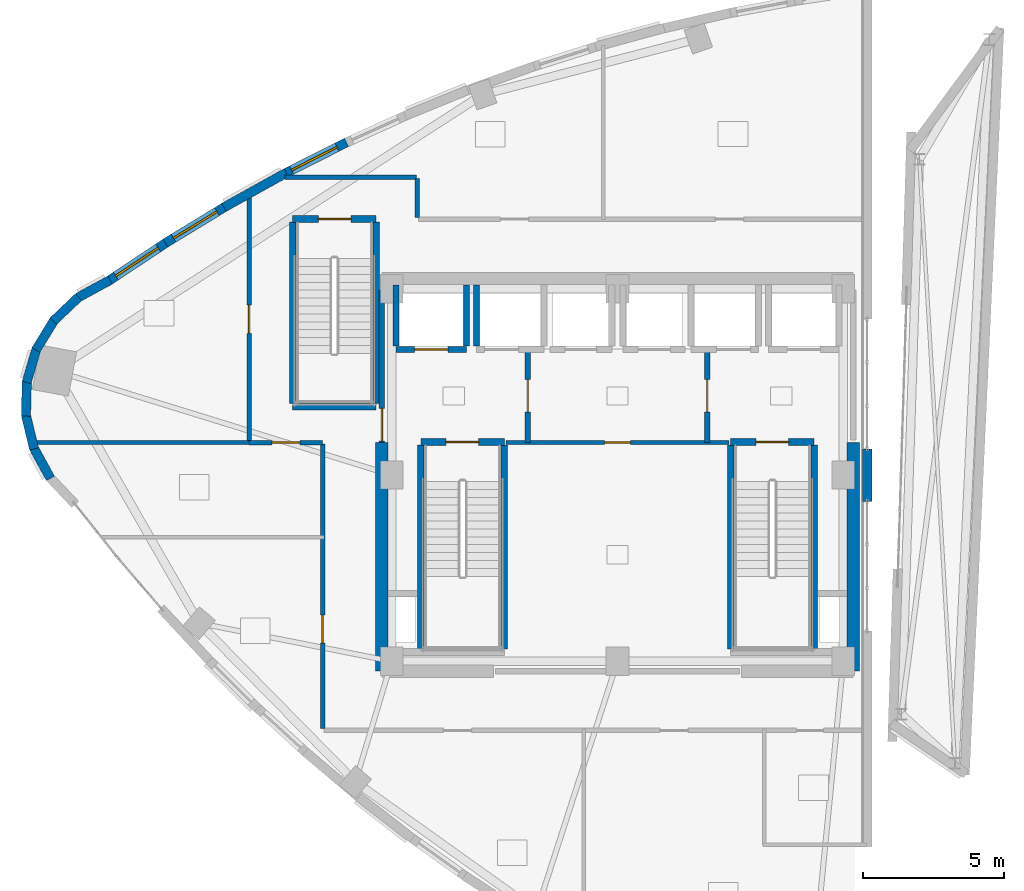
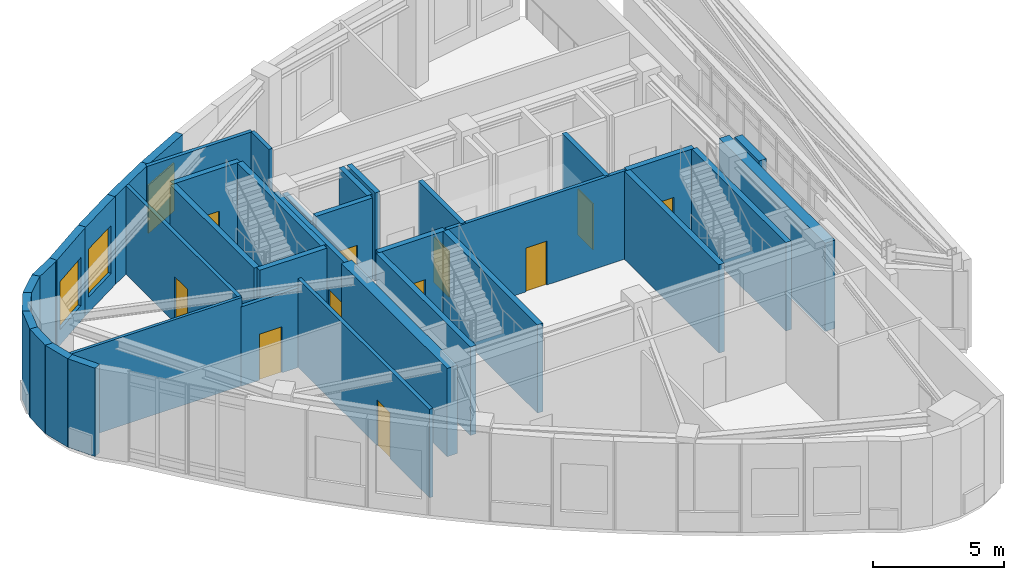
# One storey, part 14 of 19: 38 walls, 11 doors, 3 windows, 14 openings.
"""IFC4 building model written with IfcOpenShell, lengths in metres."""

from ifc_helpers import new_model, si_unit, direction, frame, frame_2d, origin, place, context, subcontext, project, spatial, rectangle, extrude, material, layer, layer_set, type_object, element, fill, save


model = new_model("IFC4")

# Units and contexts
model_context = context("Model", 3, precision=1e-05, world=origin(), true_north=direction((0.0, 1.0)))
body_context = subcontext(model_context, "Body", "Model", "MODEL_VIEW")
ifc_project = project(units=[si_unit("LENGTHUNIT", "METRE"), si_unit("AREAUNIT", "SQUARE_METRE"), si_unit("VOLUMEUNIT", "CUBIC_METRE"), si_unit("PLANEANGLEUNIT", "RADIAN"), si_unit("MASSUNIT", "GRAM", prefix="KILO")], contexts=[model_context])

# Site, building, storey
site_placement = place(None, origin())
site = spatial("IfcSite", under=ifc_project, at=site_placement, CompositionType="ELEMENT")
building_placement = place(site_placement, origin())
building = spatial("IfcBuilding", under=site, at=building_placement, Name="Ndelora Gate Hotel", CompositionType="ELEMENT")
storey_placement = place(building_placement, frame((0.0, 0.0, 290.39990234375)))
storey = spatial("IfcBuildingStorey", under=building, at=storey_placement, Name="L72", CompositionType="ELEMENT", Elevation=290.39990234375)

# Walls
ifc_material_1 = material(Name="Clay Brick Masonry", Category="masonry")
ifc_layer_1 = layer(ifc_material_1, 0.330078125)
ifc_layer_set_1 = layer_set([ifc_layer_1], Name="Clay Brick Masonry")
wall_type_1 = type_object("IfcWallType", Name="WL-BRICK-330", PredefinedType="SOLIDWALL", material=ifc_layer_set_1)
wall_1_placement = place(storey_placement, frame((8.85009765625, 0.929931640625, 0.0), z_axis=(0.0, 0.0, 1.0), x_axis=(0.0, -1.0, 0.0)))
element("IfcWall", 1, at=wall_1_placement, inside=storey, type_object=wall_type_1, Name="L72 West Crown Canyon Brick Pier 2", PredefinedType="SOLIDWALL", context=body_context, shape_type="SweptSolid", body=[
    extrude(rectangle(XDim=1.85986328125, YDim=0.330078125, at=frame_2d((0.929931640625, 0.0))), origin(), (0.0, 0.0, 1.0), 4.130126953125),
])
wall_2_placement = place(storey_placement, frame((-19.128173828125, 6.2841796875, 0.0), z_axis=(0.0, 0.0, 1.0), x_axis=(0.878173375728, 0.478342473719, 0.0)))
element("IfcWall", 2, at=wall_2_placement, inside=storey, type_object=wall_type_1, Name="L72 Tower Brick Pier-and-Spandrel Wall WPK-1", PredefinedType="SOLIDWALL", context=body_context, shape_type="SweptSolid", body=[
    extrude(rectangle(XDim=1.30908203125, YDim=0.330078125, at=frame_2d((0.654541015625, 0.0))), origin(), (0.0, 0.0, 1.0), 4.130126953125),
])
for number, where, z_axis, x_axis, name in (
    (3, (-19.989013671875, 5.454345703125, 0.0), (0.0, 0.0, 1.0), (0.72422318741, 0.689565642138, 0.0), "L72 Tower Brick Pier-and-Spandrel Wall WPK-3"),
    (4, (-20.606201171875, 4.429931640625, 0.0), (0.0, 0.0, 1.0), (0.521216361952, 0.853424574308, 0.0), "L72 Tower Brick Pier-and-Spandrel Wall WPK-5"),
    (5, (-20.93701171875, 3.28076171875, 0.0), (0.0, 0.0, 1.0), (0.282392736693, 0.95929888057, 0.0), "L72 Tower Brick Pier-and-Spandrel Wall WPK-7"),
    (6, (-20.95947265625, 2.085205078125, 0.0), (0.0, 0.0, 1.0), (0.024698579996, 0.999694943543, 0.0), "L72 Tower Brick Pier-and-Spandrel Wall WPK-9"),
    (7, (-20.67138671875, 0.92431640625, 0.0), (0.0, 0.0, 1.0), (-0.234796268819, 0.972044603991, 0.0), "L72 Tower Brick Pier-and-Spandrel Wall WPK-11"),
):
    element("IfcWall", number, at=place(storey_placement, frame(where, z_axis=z_axis, x_axis=x_axis)), inside=storey, type_object=wall_type_1, Name=name, PredefinedType="SOLIDWALL", context=body_context, shape_type="SweptSolid", body=[
        extrude(rectangle(XDim=1.225830078125, YDim=0.330078125, at=frame_2d((0.61279296875, 0.0))), origin(), (0.0, 0.0, 1.0), 4.130126953125),
    ])
wall_3_placement = place(storey_placement, frame((-20.0927734375, -0.122314453125, 0.0), z_axis=(0.0, 0.0, 1.0), x_axis=(-0.478321862725, 0.878184602256, 0.0)))
element("IfcWall", 8, at=wall_3_placement, inside=storey, type_object=wall_type_1, Name="L72 Tower Brick Pier-and-Spandrel Wall WPK-13", PredefinedType="SOLIDWALL", context=body_context, shape_type="SweptSolid", body=[
    extrude(rectangle(XDim=1.22607421875, YDim=0.330078125, at=frame_2d((0.613037109375, 0.0))), origin(), (0.0, 0.0, 1.0), 4.130126953125),
])

# Wall, opening, window
wall_4_placement = place(storey_placement, frame((-11.836181640625, 10.6591796875, 0.0), z_axis=(0.0, 0.0, 1.0), x_axis=(0.892552621867, 0.450943252747, 0.0)))
wall_4 = element("IfcWall", 9, at=wall_4_placement, inside=storey, type_object=wall_type_1, Name="L72 Tower Brick Pier-and-Spandrel Wall WPK-60", PredefinedType="SOLIDWALL", context=body_context, shape_type="SweptSolid", body=[
    extrude(rectangle(XDim=2.510986328125, YDim=0.330078125, at=frame_2d((1.25537109375, 0.0))), origin(), (0.0, 0.0, 1.0), 4.130126953125),
])
opening_1_placement = place(wall_4_placement, frame((0.325439453125, 0.0, 0.719970703125)))
opening_1 = element("IfcOpeningElement", 10, at=opening_1_placement, cuts=wall_4, Name="Opening W06", PredefinedType="OPENING", context=body_context, shape_type="SweptSolid", body=[
    extrude(rectangle(XDim=1.800048828125, YDim=2.25, at=frame_2d((0.89990234375, 1.125))), frame((0.0, 0.175048828125, 0.0), z_axis=(0.0, -1.0, 0.0), x_axis=(1.0, 0.0, 0.0)), (0.0, 0.0, 1.0), 0.35009765625),
])
ifc_material_2 = material(Name="Insulated Low-E Double Glazing in Bronze Aluminium Frame", Category="aluminium")
window_type = type_object("IfcWindowType", Name="WN-OBS-1800", PartitioningType="SINGLE_PANEL", PredefinedType="WINDOW", material=ifc_material_2)
window_1_placement = place(opening_1_placement, origin())
window_1 = element("IfcWindow", 11, at=window_1_placement, inside=storey, type_object=window_type, Name="L72 Deep-Set Brick-Pier Window W06", OverallHeight=2.25, OverallWidth=1.800048828125, PartitioningType="SINGLE_PANEL", PredefinedType="WINDOW", context=body_context, shape_type="SweptSolid", body=[
    extrude(rectangle(XDim=1.800048828125, YDim=2.25, at=frame_2d((0.89990234375, 1.125))), frame((0.0, 0.030029296875, 0.0), z_axis=(0.0, -1.0, 0.0), x_axis=(1.0, 0.0, 0.0)), (0.0, 0.0, 1.0), 0.06005859375),
])
fill(opening_1, window_1)

# Wall
wall_5_placement = place(storey_placement, frame((-13.94384765625, 9.484619140625, 0.0), z_axis=(0.0, 0.0, 1.0), x_axis=(0.873960918974, 0.485996205856, 0.0)))
element("IfcWall", 12, at=wall_5_placement, inside=storey, type_object=wall_type_1, Name="L72 Tower Brick Pier-and-Spandrel Wall WPK-61", PredefinedType="SOLIDWALL", context=body_context, shape_type="SweptSolid", body=[
    extrude(rectangle(XDim=2.522705078125, YDim=0.330078125, at=frame_2d((1.26123046875, 0.0))), origin(), (0.0, 0.0, 1.0), 4.130126953125),
])

# Wall, opening, window
wall_6_placement = place(storey_placement, frame((-16.0166015625, 8.21923828125, 0.0), z_axis=(0.0, 0.0, 1.0), x_axis=(0.854010909552, 0.520255097395, 0.0)))
wall_6 = element("IfcWall", 13, at=wall_6_placement, inside=storey, type_object=wall_type_1, Name="L72 Tower Brick Pier-and-Spandrel Wall WPK-62", PredefinedType="SOLIDWALL", context=body_context, shape_type="SweptSolid", body=[
    extrude(rectangle(XDim=2.538330078125, YDim=0.330078125, at=frame_2d((1.26904296875, 0.0))), origin(), (0.0, 0.0, 1.0), 4.130126953125),
])
opening_2_placement = place(wall_6_placement, frame((0.339111328125, 0.0, 0.719970703125)))
opening_2 = element("IfcOpeningElement", 14, at=opening_2_placement, cuts=wall_6, Name="Opening W06", PredefinedType="OPENING", context=body_context, shape_type="SweptSolid", body=[
    extrude(rectangle(XDim=1.800048828125, YDim=2.25, at=frame_2d((0.89990234375, 1.125))), frame((0.0, 0.175048828125, 0.0), z_axis=(0.0, -1.0, 0.0), x_axis=(1.0, 0.0, 0.0)), (0.0, 0.0, 1.0), 0.35009765625),
])
window_2_placement = place(opening_2_placement, origin())
window_2 = element("IfcWindow", 15, at=window_2_placement, inside=storey, type_object=window_type, Name="L72 Deep-Set Brick-Pier Window W06", OverallHeight=2.25, OverallWidth=1.800048828125, PartitioningType="SINGLE_PANEL", PredefinedType="WINDOW", context=body_context, shape_type="SweptSolid", body=[
    extrude(rectangle(XDim=1.800048828125, YDim=2.25, at=frame_2d((0.89990234375, 1.125))), frame((0.0, 0.030029296875, 0.0), z_axis=(0.0, -1.0, 0.0), x_axis=(1.0, 0.0, 0.0)), (0.0, 0.0, 1.0), 0.06005859375),
])
fill(opening_2, window_2)

wall_7_placement = place(storey_placement, frame((-18.072509765625, 6.853759765625, 0.0), z_axis=(0.0, 0.0, 1.0), x_axis=(0.833460819708, 0.552578557322, 0.0)))
wall_7 = element("IfcWall", 16, at=wall_7_placement, inside=storey, type_object=wall_type_1, Name="L72 Tower Brick Pier-and-Spandrel Wall WPK-63", PredefinedType="SOLIDWALL", context=body_context, shape_type="SweptSolid", body=[
    extrude(rectangle(XDim=2.578125, YDim=0.330078125, at=frame_2d((1.2890625, 0.0))), origin(), (0.0, 0.0, 1.0), 4.130126953125),
])
opening_3_placement = place(wall_7_placement, frame((0.35888671875, 0.0, 0.719970703125)))
opening_3 = element("IfcOpeningElement", 17, at=opening_3_placement, cuts=wall_7, Name="Opening W06", PredefinedType="OPENING", context=body_context, shape_type="SweptSolid", body=[
    extrude(rectangle(XDim=1.800048828125, YDim=2.25, at=frame_2d((0.89990234375, 1.125))), frame((0.0, 0.175048828125, 0.0), z_axis=(0.0, -1.0, 0.0), x_axis=(1.0, 0.0, 0.0)), (0.0, 0.0, 1.0), 0.35009765625),
])
window_3_placement = place(opening_3_placement, origin())
window_3 = element("IfcWindow", 18, at=window_3_placement, inside=storey, type_object=window_type, Name="L72 Deep-Set Brick-Pier Window W06", OverallHeight=2.25, OverallWidth=1.800048828125, PartitioningType="SINGLE_PANEL", PredefinedType="WINDOW", context=body_context, shape_type="SweptSolid", body=[
    extrude(rectangle(XDim=1.800048828125, YDim=2.25, at=frame_2d((0.89990234375, 1.125))), frame((0.0, 0.030029296875, 0.0), z_axis=(0.0, -1.0, 0.0), x_axis=(1.0, 0.0, 0.0)), (0.0, 0.0, 1.0), 0.06005859375),
])
fill(opening_3, window_3)

# Walls
ifc_material_3 = material(Name="Concrete C50/60", Category="concrete")
ifc_layer_2 = layer(ifc_material_3, 0.449951171875)
ifc_layer_set_2 = layer_set([ifc_layer_2], Name="Concrete C50/60")
wall_type_2 = type_object("IfcWallType", Name="WL-CORE-450", PredefinedType="SHEAR", material=ifc_layer_set_2)
for number, where, z_axis, x_axis, name in (
    (19, (-8.35009765625, -6.949951171875, 0.0), (0.0, 0.0, 1.0), (0.0, 1.0, 0.0), "L72 Core Shear Wall W"),
    (20, (8.35009765625, -6.949951171875, 0.0), (0.0, 0.0, 1.0), (0.0, 1.0, 0.0), "L72 Core Shear Wall E"),
):
    element("IfcWall", number, at=place(storey_placement, frame(where, z_axis=z_axis, x_axis=x_axis)), inside=storey, type_object=wall_type_2, Name=name, PredefinedType="SHEAR", context=body_context, shape_type="SweptSolid", body=[
        extrude(rectangle(XDim=8.099853515625, YDim=0.449951171875, at=frame_2d((4.0498046875, 0.0))), origin(), (0.0, 0.0, 1.0), 4.130126953125),
    ])

# Wall, opening, door
ifc_material_4 = material(Name="Concrete C40/50", Category="concrete")
ifc_layer_3 = layer(ifc_material_4, 0.199951171875)
ifc_layer_set_3 = layer_set([ifc_layer_3], Name="Concrete C40/50")
wall_type_3 = type_object("IfcWallType", Name="WL-FIRE-200", PredefinedType="PARTITIONING", material=ifc_layer_set_3)
wall_8_placement = place(storey_placement, frame((-3.179931640625, 1.14990234375, 0.0), z_axis=(0.0, 0.0, 1.0), x_axis=(0.0, 1.0, 0.0)))
wall_8 = element("IfcWall", 21, at=wall_8_placement, inside=storey, type_object=wall_type_3, Name="L72 Interior Wall IW-2", PredefinedType="PARTITIONING", context=body_context, shape_type="SweptSolid", body=[
    extrude(rectangle(XDim=3.300048828125, YDim=0.199951171875, at=frame_2d((1.64990234375, 0.0))), origin(), (0.0, 0.0, 1.0), 4.130126953125),
])
opening_4_placement = place(wall_8_placement, frame((1.080078125, 0.0, 0.0)))
opening_4 = element("IfcOpeningElement", 22, at=opening_4_placement, cuts=wall_8, Name="Opening FD1", PredefinedType="OPENING", context=body_context, shape_type="SweptSolid", body=[
    extrude(rectangle(XDim=1.14990234375, YDim=2.14990234375, at=frame_2d((0.574951171875, 1.074951171875))), frame((0.0, 0.10986328125, 0.0), z_axis=(0.0, -1.0, 0.0), x_axis=(1.0, 0.0, 0.0)), (0.0, 0.0, 1.0), 0.219970703125),
])
ifc_material_5 = material(Name="Fire-Rated Timber-Veneer Steel Core", Category="steel")
door_type_1 = type_object("IfcDoorType", Name="DR-FD60", OperationType="SINGLE_SWING_LEFT", PredefinedType="DOOR", material=ifc_material_5)
door_1_placement = place(opening_4_placement, origin())
door_1 = element("IfcDoor", 23, at=door_1_placement, inside=storey, type_object=door_type_1, Name="L72 Firefighting Lobby West Door", OperationType="SINGLE_SWING_RIGHT", OverallHeight=2.14990234375, OverallWidth=1.14990234375, PredefinedType="DOOR", context=body_context, shape_type="SweptSolid", body=[
    extrude(rectangle(XDim=1.14990234375, YDim=2.14990234375, at=frame_2d((0.574951171875, 1.074951171875))), frame((0.0, 0.02490234375, 0.0), z_axis=(0.0, -1.0, 0.0), x_axis=(1.0, 0.0, 0.0)), (0.0, 0.0, 1.0), 0.050048828125),
])
fill(opening_4, door_1)

wall_9_placement = place(storey_placement, frame((3.179931640625, 1.14990234375, 0.0), z_axis=(0.0, 0.0, 1.0), x_axis=(0.0, 1.0, 0.0)))
wall_9 = element("IfcWall", 24, at=wall_9_placement, inside=storey, type_object=wall_type_3, Name="L72 Interior Wall IW-2", PredefinedType="PARTITIONING", context=body_context, shape_type="SweptSolid", body=[
    extrude(rectangle(XDim=3.300048828125, YDim=0.199951171875, at=frame_2d((1.64990234375, 0.0))), origin(), (0.0, 0.0, 1.0), 4.130126953125),
])
opening_5_placement = place(wall_9_placement, frame((1.080078125, 0.0, 0.0)))
opening_5 = element("IfcOpeningElement", 25, at=opening_5_placement, cuts=wall_9, Name="Opening FD1", PredefinedType="OPENING", context=body_context, shape_type="SweptSolid", body=[
    extrude(rectangle(XDim=1.14990234375, YDim=2.14990234375, at=frame_2d((0.574951171875, 1.074951171875))), frame((0.0, 0.10986328125, 0.0), z_axis=(0.0, -1.0, 0.0), x_axis=(1.0, 0.0, 0.0)), (0.0, 0.0, 1.0), 0.219970703125),
])
door_2_placement = place(opening_5_placement, origin())
door_2 = element("IfcDoor", 26, at=door_2_placement, inside=storey, type_object=door_type_1, Name="L72 Firefighting Lobby East Door", OperationType="SINGLE_SWING_LEFT", OverallHeight=2.14990234375, OverallWidth=1.14990234375, PredefinedType="DOOR", context=body_context, shape_type="SweptSolid", body=[
    extrude(rectangle(XDim=1.14990234375, YDim=2.14990234375, at=frame_2d((0.574951171875, 1.074951171875))), frame((0.0, 0.02490234375, 0.0), z_axis=(0.0, -1.0, 0.0), x_axis=(1.0, 0.0, 0.0)), (0.0, 0.0, 1.0), 0.050048828125),
])
fill(opening_5, door_2)

wall_10_placement = place(storey_placement, frame((-8.35009765625, 1.14990234375, 0.0), z_axis=(0.0, 0.0, 1.0), x_axis=(0.0, 1.0, 0.0)))
wall_10 = element("IfcWall", 27, at=wall_10_placement, inside=storey, type_object=wall_type_3, Name="L72 Interior Wall IW-2", PredefinedType="PARTITIONING", context=body_context, shape_type="SweptSolid", body=[
    extrude(rectangle(XDim=5.400146484375, YDim=0.199951171875, at=frame_2d((2.7001953125, 0.0))), origin(), (0.0, 0.0, 1.0), 4.130126953125),
])
opening_6_placement = place(wall_10_placement, frame((0.06005859375, 0.0, 0.0)))
opening_6 = element("IfcOpeningElement", 28, at=opening_6_placement, cuts=wall_10, Name="Opening FD1", PredefinedType="OPENING", context=body_context, shape_type="SweptSolid", body=[
    extrude(rectangle(XDim=1.14990234375, YDim=2.14990234375, at=frame_2d((0.574951171875, 1.074951171875))), frame((0.0, 0.10986328125, 0.0), z_axis=(0.0, -1.0, 0.0), x_axis=(1.0, 0.0, 0.0)), (0.0, 0.0, 1.0), 0.219970703125),
])
door_3_placement = place(opening_6_placement, origin())
door_3 = element("IfcDoor", 29, at=door_3_placement, inside=storey, type_object=door_type_1, Name="L72 Firefighting Lobby West Corridor Door", OperationType="SINGLE_SWING_LEFT", OverallHeight=2.14990234375, OverallWidth=1.14990234375, PredefinedType="DOOR", context=body_context, shape_type="SweptSolid", body=[
    extrude(rectangle(XDim=1.14990234375, YDim=2.14990234375, at=frame_2d((0.574951171875, 1.074951171875))), frame((0.0, 0.02490234375, 0.0), z_axis=(0.0, -1.0, 0.0), x_axis=(1.0, 0.0, 0.0)), (0.0, 0.0, 1.0), 0.050048828125),
])
fill(opening_6, door_3)

ifc_material_6 = material(Name="Fire-Rated Gypsum Stud Partition", Category="gypsum")
ifc_layer_4 = layer(ifc_material_6, 0.14990234375)
ifc_layer_set_4 = layer_set([ifc_layer_4], Name="Fire-Rated Gypsum Stud Partition")
wall_type_4 = type_object("IfcWallType", Name="WL-PART-150", PredefinedType="PARTITIONING", material=ifc_layer_set_4)
wall_11_placement = place(storey_placement, frame((3.949951171875, 1.14990234375, 0.0), z_axis=(0.0, 0.0, 1.0), x_axis=(-1.0, 0.0, 0.0)))
wall_11 = element("IfcWall", 30, at=wall_11_placement, inside=storey, type_object=wall_type_4, Name="L72 Interior Wall IW-5", PredefinedType="PARTITIONING", context=body_context, shape_type="SweptSolid", body=[
    extrude(rectangle(XDim=7.89990234375, YDim=0.14990234375, at=frame_2d((3.949951171875, 0.0))), origin(), (0.0, 0.0, 1.0), 4.130126953125),
])
opening_7_placement = place(wall_11_placement, frame((3.489990234375, 0.0, 0.0)))
opening_7 = element("IfcOpeningElement", 31, at=opening_7_placement, cuts=wall_11, Name="Opening D04", PredefinedType="OPENING", context=body_context, shape_type="SweptSolid", body=[
    extrude(rectangle(XDim=0.919921875, YDim=2.050048828125, at=frame_2d((0.4599609375, 1.02490234375))), frame((0.0, 0.0849609375, 0.0), z_axis=(0.0, -1.0, 0.0), x_axis=(1.0, 0.0, 0.0)), (0.0, 0.0, 1.0), 0.169921875),
])
ifc_material_7 = material(Name="Painted Steel Core Service Door", Category="steel")
door_type_2 = type_object("IfcDoorType", Name="DR-SER-920", OperationType="SINGLE_SWING_LEFT", PredefinedType="DOOR", material=ifc_material_7)
door_4_placement = place(opening_7_placement, origin())
door_4 = element("IfcDoor", 32, at=door_4_placement, inside=storey, type_object=door_type_2, Name="L72 Core Electrical and Linen Service Store Door", OperationType="SINGLE_SWING_LEFT", OverallHeight=2.050048828125, OverallWidth=0.919921875, PredefinedType="DOOR", context=body_context, shape_type="SweptSolid", body=[
    extrude(rectangle(XDim=0.919921875, YDim=2.050048828125, at=frame_2d((0.4599609375, 1.02490234375))), frame((0.0, 0.02490234375, 0.0), z_axis=(0.0, -1.0, 0.0), x_axis=(1.0, 0.0, 0.0)), (0.0, 0.0, 1.0), 0.050048828125),
])
fill(opening_7, door_4)

# Walls
ifc_layer_5 = layer(ifc_material_6, 0.159912109375)
ifc_layer_set_5 = layer_set([ifc_layer_5], Name="Fire-Rated Gypsum Stud Partition")
wall_type_5 = type_object("IfcWallType", Name="WL-PART-160", PredefinedType="PARTITIONING", material=ifc_layer_set_5)
wall_12_placement = place(storey_placement, frame((-7.10009765625, 9.1201171875, 0.0), z_axis=(0.0, 0.0, 1.0), x_axis=(0.0, 1.0, 0.0)))
element("IfcWall", 33, at=wall_12_placement, inside=storey, type_object=wall_type_5, Name="L72 Interior Wall IW-4", PredefinedType="PARTITIONING", context=body_context, shape_type="SweptSolid", body=[
    extrude(rectangle(XDim=1.3798828125, YDim=0.159912109375, at=frame_2d((0.68994140625, 0.0))), origin(), (0.0, 0.0, 1.0), 4.130126953125),
])
wall_13_placement = place(storey_placement, frame((-7.1201171875, 10.550048828125, 0.0), z_axis=(0.0, 0.0, 1.0), x_axis=(-1.0, 0.0, 0.0)))
element("IfcWall", 34, at=wall_13_placement, inside=storey, type_object=wall_type_5, Name="L72 Interior Wall IW-4", PredefinedType="PARTITIONING", context=body_context, shape_type="SweptSolid", body=[
    extrude(rectangle(XDim=4.661376953125, YDim=0.159912109375, at=frame_2d((2.33056640625, 0.0))), origin(), (0.0, 0.0, 1.0), 4.130126953125),
])

# Wall, opening, door
wall_14_placement = place(storey_placement, frame((-13.050048828125, 9.844482421875, 0.0), z_axis=(0.0, 0.0, 1.0), x_axis=(0.0, -1.0, 0.0)))
wall_14 = element("IfcWall", 35, at=wall_14_placement, inside=storey, type_object=wall_type_5, Name="L72 Interior Wall IW-4", PredefinedType="PARTITIONING", context=body_context, shape_type="SweptSolid", body=[
    extrude(rectangle(XDim=8.64453125, YDim=0.159912109375, at=frame_2d((4.322265625, 0.0))), origin(), (0.0, 0.0, 1.0), 4.130126953125),
])
opening_8_placement = place(wall_14_placement, frame((3.822265625, 0.0, 0.0)))
opening_8 = element("IfcOpeningElement", 36, at=opening_8_placement, cuts=wall_14, Name="Opening D01", PredefinedType="OPENING", context=body_context, shape_type="SweptSolid", body=[
    extrude(rectangle(XDim=1.0, YDim=2.14990234375, at=frame_2d((0.5, 1.074951171875))), frame((0.0, 0.08984375, 0.0), z_axis=(0.0, -1.0, 0.0), x_axis=(1.0, 0.0, 0.0)), (0.0, 0.0, 1.0), 0.179931640625),
])
ifc_material_8 = material(Name="Acoustic Hardwood Guest Entrance Door", Category="wood")
door_type_3 = type_object("IfcDoorType", Name="DR-COR-1000", OperationType="SINGLE_SWING_LEFT", PredefinedType="DOOR", material=ifc_material_8)
door_5_placement = place(opening_8_placement, origin())
door_5 = element("IfcDoor", 37, at=door_5_placement, inside=storey, type_object=door_type_3, Name="L72 Botanical Tea Dining Room Door", OperationType="SINGLE_SWING_LEFT", OverallHeight=2.14990234375, OverallWidth=1.0, PredefinedType="DOOR", context=body_context, shape_type="SweptSolid", body=[
    extrude(rectangle(XDim=1.0, YDim=2.14990234375, at=frame_2d((0.5, 1.074951171875))), frame((0.0, 0.02490234375, 0.0), z_axis=(0.0, -1.0, 0.0), x_axis=(1.0, 0.0, 0.0)), (0.0, 0.0, 1.0), 0.050048828125),
])
fill(opening_8, door_5)

wall_15_placement = place(storey_placement, frame((-13.050048828125, 1.14990234375, 0.0), z_axis=(0.0, 0.0, 1.0), x_axis=(1.0, 0.0, 0.0)))
wall_15 = element("IfcWall", 38, at=wall_15_placement, inside=storey, type_object=wall_type_5, Name="L72 Interior Wall IW-4", PredefinedType="PARTITIONING", context=body_context, shape_type="SweptSolid", body=[
    extrude(rectangle(XDim=2.60009765625, YDim=0.159912109375, at=frame_2d((1.300048828125, 0.0))), origin(), (0.0, 0.0, 1.0), 3.710205078125),
])
opening_9_placement = place(wall_15_placement, frame((0.800048828125, 0.0, 0.0)))
opening_9 = element("IfcOpeningElement", 39, at=opening_9_placement, cuts=wall_15, Name="Opening D01", PredefinedType="OPENING", context=body_context, shape_type="SweptSolid", body=[
    extrude(rectangle(XDim=1.0, YDim=2.14990234375, at=frame_2d((0.5, 1.074951171875))), frame((0.0, 0.08984375, 0.0), z_axis=(0.0, -1.0, 0.0), x_axis=(1.0, 0.0, 0.0)), (0.0, 0.0, 1.0), 0.179931640625),
])
door_6_placement = place(opening_9_placement, origin())
door_6 = element("IfcDoor", 40, at=door_6_placement, inside=storey, type_object=door_type_3, Name="L72 Artisanal Pastry Kitchen Door", OperationType="SINGLE_SWING_LEFT", OverallHeight=2.14990234375, OverallWidth=1.0, PredefinedType="DOOR", context=body_context, shape_type="SweptSolid", body=[
    extrude(rectangle(XDim=1.0, YDim=2.14990234375, at=frame_2d((0.5, 1.074951171875))), frame((0.0, 0.02490234375, 0.0), z_axis=(0.0, -1.0, 0.0), x_axis=(1.0, 0.0, 0.0)), (0.0, 0.0, 1.0), 0.050048828125),
])
fill(opening_9, door_6)

wall_16_placement = place(storey_placement, frame((-10.449951171875, 1.10009765625, 0.0), z_axis=(0.0, 0.0, 1.0), x_axis=(0.0, -1.0, 0.0)))
wall_16 = element("IfcWall", 41, at=wall_16_placement, inside=storey, type_object=wall_type_5, Name="L72 Interior Wall IW-4", PredefinedType="PARTITIONING", context=body_context, shape_type="SweptSolid", body=[
    extrude(rectangle(XDim=10.080078125, YDim=0.159912109375, at=frame_2d((5.0400390625, 0.0))), origin(), (0.0, 0.0, 1.0), 4.130126953125),
])
opening_10_placement = place(wall_16_placement, frame((6.06005859375, 0.0, 0.0)))
opening_10 = element("IfcOpeningElement", 42, at=opening_10_placement, cuts=wall_16, Name="Opening D01", PredefinedType="OPENING", context=body_context, shape_type="SweptSolid", body=[
    extrude(rectangle(XDim=1.0, YDim=2.14990234375, at=frame_2d((0.5, 1.074951171875))), frame((0.0, 0.08984375, 0.0), z_axis=(0.0, -1.0, 0.0), x_axis=(1.0, 0.0, 0.0)), (0.0, 0.0, 1.0), 0.179931640625),
])
door_7_placement = place(opening_10_placement, origin())
door_7 = element("IfcDoor", 43, at=door_7_placement, inside=storey, type_object=door_type_3, Name="L72 Cloud Reading Library Door", OperationType="SINGLE_SWING_RIGHT", OverallHeight=2.14990234375, OverallWidth=1.0, PredefinedType="DOOR", context=body_context, shape_type="SweptSolid", body=[
    extrude(rectangle(XDim=1.0, YDim=2.14990234375, at=frame_2d((0.5, 1.074951171875))), frame((0.0, 0.02490234375, 0.0), z_axis=(0.0, -1.0, 0.0), x_axis=(1.0, 0.0, 0.0)), (0.0, 0.0, 1.0), 0.050048828125),
])
fill(opening_10, door_7)

ifc_layer_6 = layer(ifc_material_4, 0.219970703125)
ifc_layer_set_6 = layer_set([ifc_layer_6], Name="Concrete C40/50")
wall_type_6 = type_object("IfcWallType", Name="WL-SHAFT-220", PredefinedType="PARTITIONING", material=ifc_layer_set_6)
wall_17_placement = place(storey_placement, frame((-7.85009765625, 4.449951171875, 0.0), z_axis=(0.0, 0.0, 1.0), x_axis=(1.0, 0.0, 0.0)))
wall_17 = element("IfcWall", 44, at=wall_17_placement, inside=storey, type_object=wall_type_6, Name="L72 Interior Wall IW-1", PredefinedType="PARTITIONING", context=body_context, shape_type="SweptSolid", body=[
    extrude(rectangle(XDim=2.5, YDim=0.219970703125, at=frame_2d((1.25, 0.0))), origin(), (0.0, 0.0, 1.0), 4.130126953125),
])
opening_11_placement = place(wall_17_placement, frame((0.659912109375, 0.0, 0.0)))
opening_11 = element("IfcOpeningElement", 45, at=opening_11_placement, cuts=wall_17, Name="Opening LD5", PredefinedType="OPENING", context=body_context, shape_type="SweptSolid", body=[
    extrude(rectangle(XDim=1.179931640625, YDim=2.14990234375, at=frame_2d((0.58984375, 1.074951171875))), frame((0.0, 0.1201171875, 0.0), z_axis=(0.0, -1.0, 0.0), x_axis=(1.0, 0.0, 0.0)), (0.0, 0.0, 1.0), 0.239990234375),
])
ifc_material_9 = material(Name="Firefighting Lift Stainless Sliding Landing Door", Category="metal")
door_type_4 = type_object("IfcDoorType", Name="DR-LD5", OperationType="DOUBLE_DOOR_SLIDING", PredefinedType="DOOR", material=ifc_material_9)
door_8_placement = place(opening_11_placement, origin())
door_8 = element("IfcDoor", 46, at=door_8_placement, inside=storey, type_object=door_type_4, Name="L72 Lift Landing Sliding Door FFL1", OperationType="DOUBLE_DOOR_SLIDING", OverallHeight=2.14990234375, OverallWidth=1.179931640625, PredefinedType="DOOR", context=body_context, shape_type="SweptSolid", body=[
    extrude(rectangle(XDim=1.179931640625, YDim=2.14990234375, at=frame_2d((0.58984375, 1.074951171875))), frame((0.0, 0.02490234375, 0.0), z_axis=(0.0, -1.0, 0.0), x_axis=(1.0, 0.0, 0.0)), (0.0, 0.0, 1.0), 0.050048828125),
])
fill(opening_11, door_8)

# Walls
wall_18_placement = place(storey_placement, frame((-7.85009765625, 4.570068359375, 0.0), z_axis=(0.0, 0.0, 1.0), x_axis=(0.0, 1.0, 0.0)))
element("IfcWall", 47, at=wall_18_placement, inside=storey, type_object=wall_type_6, Name="L72 Interior Wall IW-1", PredefinedType="PARTITIONING", context=body_context, shape_type="SweptSolid", body=[
    extrude(rectangle(XDim=2.155029296875, YDim=0.219970703125, at=frame_2d((1.07763671875, 0.0))), origin(), (0.0, 0.0, 1.0), 3.81005859375),
])
for number, where, z_axis, x_axis, name in (
    (48, (-5.35009765625, 4.570068359375, 0.0), (0.0, 0.0, 1.0), (0.0, 1.0, 0.0), "L72 Interior Wall IW-1"),
    (49, (-5.0, 4.570068359375, 0.0), (0.0, 0.0, 1.0), (0.0, 1.0, 0.0), "L72 Interior Wall IW-1"),
):
    element("IfcWall", number, at=place(storey_placement, frame(where, z_axis=z_axis, x_axis=x_axis)), inside=storey, type_object=wall_type_6, Name=name, PredefinedType="PARTITIONING", context=body_context, shape_type="SweptSolid", body=[
        extrude(rectangle(XDim=2.155029296875, YDim=0.219970703125, at=frame_2d((1.07763671875, 0.0))), origin(), (0.0, 0.0, 1.0), 4.130126953125),
    ])
ifc_layer_7 = layer(ifc_material_3, 0.239990234375)
ifc_layer_set_7 = layer_set([ifc_layer_7], Name="Concrete C50/60")
wall_type_7 = type_object("IfcWallType", Name="WL-STAIR-240", PredefinedType="SHEAR", material=ifc_layer_set_7)
for number, where, z_axis, x_axis, name in (
    (50, (-6.969970703125, -6.159912109375, 0.0), (0.0, 0.0, 1.0), (0.0, 1.0, 0.0), "L72 Stair Core Shear Wall SW-ST"),
    (51, (-4.010009765625, -6.159912109375, 0.0), (0.0, 0.0, 1.0), (0.0, 1.0, 0.0), "L72 Stair Core Shear Wall SW-ST"),
):
    element("IfcWall", number, at=place(storey_placement, frame(where, z_axis=z_axis, x_axis=x_axis)), inside=storey, type_object=wall_type_7, Name=name, PredefinedType="SHEAR", context=body_context, shape_type="SweptSolid", body=[
        extrude(rectangle(XDim=7.219970703125, YDim=0.239990234375, at=frame_2d((3.60986328125, 0.0))), origin(), (0.0, 0.0, 1.0), 4.130126953125),
    ])

# Wall, opening, door
wall_19_placement = place(storey_placement, frame((-6.969970703125, 1.169921875, 0.0), z_axis=(0.0, 0.0, 1.0), x_axis=(1.0, 0.0, 0.0)))
wall_19 = element("IfcWall", 52, at=wall_19_placement, inside=storey, type_object=wall_type_7, Name="L72 Stair Core Shear Wall SW-ST", PredefinedType="SHEAR", context=body_context, shape_type="SweptSolid", body=[
    extrude(rectangle(XDim=2.9599609375, YDim=0.239990234375, at=frame_2d((1.47998046875, 0.0))), origin(), (0.0, 0.0, 1.0), 4.130126953125),
])
opening_12_placement = place(wall_19_placement, frame((0.89990234375, 0.0, 0.0)))
opening_12 = element("IfcOpeningElement", 53, at=opening_12_placement, cuts=wall_19, Name="Opening FD1", PredefinedType="OPENING", context=body_context, shape_type="SweptSolid", body=[
    extrude(rectangle(XDim=1.14990234375, YDim=2.14990234375, at=frame_2d((0.574951171875, 1.074951171875))), frame((0.0, 0.1298828125, 0.0), z_axis=(0.0, -1.0, 0.0), x_axis=(1.0, 0.0, 0.0)), (0.0, 0.0, 1.0), 0.260009765625),
])
door_9_placement = place(opening_12_placement, origin())
door_9 = element("IfcDoor", 54, at=door_9_placement, inside=storey, type_object=door_type_1, Name="L72 Exit Stair ST4 Door", OperationType="SINGLE_SWING_LEFT", OverallHeight=2.14990234375, OverallWidth=1.14990234375, PredefinedType="DOOR", context=body_context, shape_type="SweptSolid", body=[
    extrude(rectangle(XDim=1.14990234375, YDim=2.14990234375, at=frame_2d((0.574951171875, 1.074951171875))), frame((0.0, 0.02490234375, 0.0), z_axis=(0.0, -1.0, 0.0), x_axis=(1.0, 0.0, 0.0)), (0.0, 0.0, 1.0), 0.050048828125),
])
fill(opening_12, door_9)

# Walls
for number, where, z_axis, x_axis, name in (
    (55, (4.010009765625, -6.159912109375, 0.0), (0.0, 0.0, 1.0), (0.0, 1.0, 0.0), "L72 Stair Core Shear Wall SW-ST"),
    (56, (6.969970703125, -6.159912109375, 0.0), (0.0, 0.0, 1.0), (0.0, 1.0, 0.0), "L72 Stair Core Shear Wall SW-ST"),
):
    element("IfcWall", number, at=place(storey_placement, frame(where, z_axis=z_axis, x_axis=x_axis)), inside=storey, type_object=wall_type_7, Name=name, PredefinedType="SHEAR", context=body_context, shape_type="SweptSolid", body=[
        extrude(rectangle(XDim=7.219970703125, YDim=0.239990234375, at=frame_2d((3.60986328125, 0.0))), origin(), (0.0, 0.0, 1.0), 4.130126953125),
    ])

# Wall, opening, door
wall_20_placement = place(storey_placement, frame((4.010009765625, 1.169921875, 0.0), z_axis=(0.0, 0.0, 1.0), x_axis=(1.0, 0.0, 0.0)))
wall_20 = element("IfcWall", 57, at=wall_20_placement, inside=storey, type_object=wall_type_7, Name="L72 Stair Core Shear Wall SW-ST", PredefinedType="SHEAR", context=body_context, shape_type="SweptSolid", body=[
    extrude(rectangle(XDim=2.9599609375, YDim=0.239990234375, at=frame_2d((1.47998046875, 0.0))), origin(), (0.0, 0.0, 1.0), 4.130126953125),
])
opening_13_placement = place(wall_20_placement, frame((0.89990234375, 0.0, 0.0)))
opening_13 = element("IfcOpeningElement", 58, at=opening_13_placement, cuts=wall_20, Name="Opening FD1", PredefinedType="OPENING", context=body_context, shape_type="SweptSolid", body=[
    extrude(rectangle(XDim=1.14990234375, YDim=2.14990234375, at=frame_2d((0.574951171875, 1.074951171875))), frame((0.0, 0.1298828125, 0.0), z_axis=(0.0, -1.0, 0.0), x_axis=(1.0, 0.0, 0.0)), (0.0, 0.0, 1.0), 0.260009765625),
])
door_10_placement = place(opening_13_placement, origin())
door_10 = element("IfcDoor", 59, at=door_10_placement, inside=storey, type_object=door_type_1, Name="L72 Exit Stair ST5 Door", OperationType="SINGLE_SWING_RIGHT", OverallHeight=2.14990234375, OverallWidth=1.14990234375, PredefinedType="DOOR", context=body_context, shape_type="SweptSolid", body=[
    extrude(rectangle(XDim=1.14990234375, YDim=2.14990234375, at=frame_2d((0.574951171875, 1.074951171875))), frame((0.0, 0.02490234375, 0.0), z_axis=(0.0, -1.0, 0.0), x_axis=(1.0, 0.0, 0.0)), (0.0, 0.0, 1.0), 0.050048828125),
])
fill(opening_13, door_10)

# Walls
wall_21_placement = place(storey_placement, frame((-11.510009765625, 2.5400390625, 0.0), z_axis=(0.0, 0.0, 1.0), x_axis=(0.0, 1.0, 0.0)))
element("IfcWall", 60, at=wall_21_placement, inside=storey, type_object=wall_type_7, Name="L72 Stair Core Shear Wall SW-ST", PredefinedType="SHEAR", context=body_context, shape_type="SweptSolid", body=[
    extrude(rectangle(XDim=6.419921875, YDim=0.239990234375, at=frame_2d((3.2099609375, 0.0))), origin(), (0.0, 0.0, 1.0), 4.130126953125),
])
wall_22_placement = place(storey_placement, frame((-11.510009765625, 2.429931640625, 0.0), z_axis=(0.0, 0.0, 1.0), x_axis=(1.0, 0.0, 0.0)))
element("IfcWall", 61, at=wall_22_placement, inside=storey, type_object=wall_type_7, Name="L72 Stair Core Shear Wall SW-ST", PredefinedType="SHEAR", context=body_context, shape_type="SweptSolid", body=[
    extrude(rectangle(XDim=2.9599609375, YDim=0.239990234375, at=frame_2d((1.47998046875, 0.0))), origin(), (0.0, 0.0, 1.0), 4.130126953125),
])
wall_23_placement = place(storey_placement, frame((-8.550048828125, 2.5400390625, 0.0), z_axis=(0.0, 0.0, 1.0), x_axis=(0.0, 1.0, 0.0)))
element("IfcWall", 62, at=wall_23_placement, inside=storey, type_object=wall_type_7, Name="L72 Stair Core Shear Wall SW-ST", PredefinedType="SHEAR", context=body_context, shape_type="SweptSolid", body=[
    extrude(rectangle(XDim=6.419921875, YDim=0.239990234375, at=frame_2d((3.2099609375, 0.0))), origin(), (0.0, 0.0, 1.0), 4.130126953125),
])

# Wall, opening, door
wall_24_placement = place(storey_placement, frame((-8.550048828125, 9.070068359375, 0.0), z_axis=(0.0, 0.0, 1.0), x_axis=(-1.0, 0.0, 0.0)))
wall_24 = element("IfcWall", 63, at=wall_24_placement, inside=storey, type_object=wall_type_7, Name="L72 Stair Core Shear Wall SW-ST", PredefinedType="SHEAR", context=body_context, shape_type="SweptSolid", body=[
    extrude(rectangle(XDim=2.9599609375, YDim=0.239990234375, at=frame_2d((1.47998046875, 0.0))), origin(), (0.0, 0.0, 1.0), 4.130126953125),
])
opening_14_placement = place(wall_24_placement, frame((0.89990234375, 0.0, 0.0)))
opening_14 = element("IfcOpeningElement", 64, at=opening_14_placement, cuts=wall_24, Name="Opening FD1", PredefinedType="OPENING", context=body_context, shape_type="SweptSolid", body=[
    extrude(rectangle(XDim=1.14990234375, YDim=2.14990234375, at=frame_2d((0.574951171875, 1.074951171875))), frame((0.0, 0.1298828125, 0.0), z_axis=(0.0, -1.0, 0.0), x_axis=(1.0, 0.0, 0.0)), (0.0, 0.0, 1.0), 0.260009765625),
])
door_11_placement = place(opening_14_placement, origin())
door_11 = element("IfcDoor", 65, at=door_11_placement, inside=storey, type_object=door_type_1, Name="L72 Crown Stair ST6 Door", OperationType="SINGLE_SWING_LEFT", OverallHeight=2.14990234375, OverallWidth=1.14990234375, PredefinedType="DOOR", context=body_context, shape_type="SweptSolid", body=[
    extrude(rectangle(XDim=1.14990234375, YDim=2.14990234375, at=frame_2d((0.574951171875, 1.074951171875))), frame((0.0, 0.02490234375, 0.0), z_axis=(0.0, -1.0, 0.0), x_axis=(1.0, 0.0, 0.0)), (0.0, 0.0, 1.0), 0.050048828125),
])
fill(opening_14, door_11)

# Wall
ifc_material_10 = material(Name="Moisture-Resistant Fire-Rated Tile Partition", Category="gypsum")
ifc_layer_8 = layer(ifc_material_10, 0.1298828125)
ifc_layer_set_8 = layer_set([ifc_layer_8], Name="Moisture-Resistant Fire-Rated Tile Partition")
wall_type_8 = type_object("IfcWallType", Name="WL-WET-RATED", PredefinedType="PARTITIONING", material=ifc_layer_set_8)
wall_25_placement = place(storey_placement, frame((-20.69482421875, 1.14990234375, 0.0), z_axis=(0.0, 0.0, 1.0), x_axis=(1.0, 0.0, 0.0)))
element("IfcWall", 66, at=wall_25_placement, inside=storey, type_object=wall_type_8, Name="L72 Interior Wall IW-6", PredefinedType="PARTITIONING", context=body_context, shape_type="SweptSolid", body=[
    extrude(rectangle(XDim=7.69482421875, YDim=0.1298828125, at=frame_2d((3.847412109375, 0.0))), origin(), (0.0, 0.0, 1.0), 4.130126953125),
])

save(model, "model.ifc")
